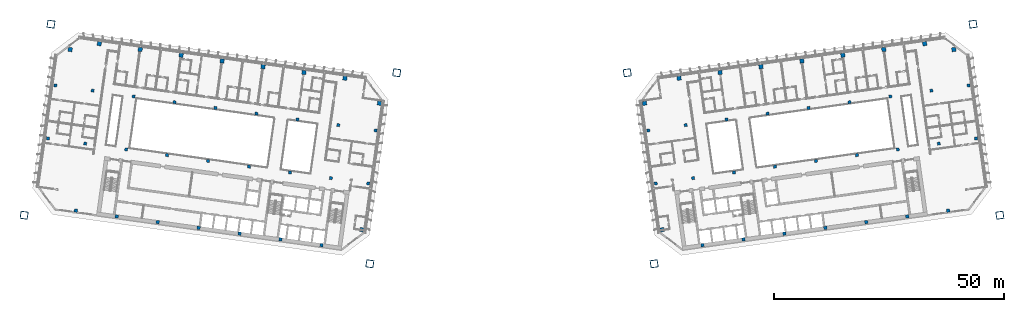
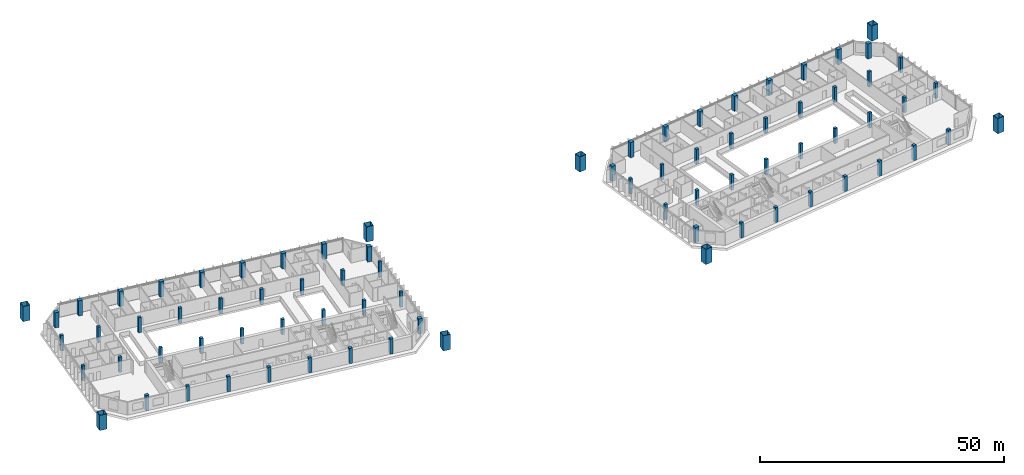
# One storey, part 1 of 24: 78 columns.
"""IFC4 building model written with IfcOpenShell, lengths in metres."""

from ifc_helpers import new_model, si_unit, direction, frame, origin, origin_2d, place, context, subcontext, project, spatial, rectangle, hollow_rectangle, extrude, material, material_profile, profile_set, type_object, element, save


model = new_model("IFC4")

# Units and contexts
model_context = context("Model", 3, precision=1e-05, world=origin(), true_north=direction((0.0, 1.0)))
body_context = subcontext(model_context, "Body", "Model", "MODEL_VIEW")
ifc_project = project(units=[si_unit("LENGTHUNIT", "METRE"), si_unit("AREAUNIT", "SQUARE_METRE"), si_unit("VOLUMEUNIT", "CUBIC_METRE"), si_unit("PLANEANGLEUNIT", "RADIAN"), si_unit("MASSUNIT", "GRAM", prefix="KILO")], contexts=[model_context])

# Site, building, storey
site_placement = place(None, origin())
site = spatial("IfcSite", under=ifc_project, at=site_placement, CompositionType="ELEMENT")
building_placement = place(site_placement, origin())
building = spatial("IfcBuilding", under=site, at=building_placement, Name="Mirante Cascada Hotel Towers", CompositionType="ELEMENT")
storey_placement = place(building_placement, frame((0.0, 0.0, 110.1)))
storey = spatial("IfcBuildingStorey", under=building, at=storey_placement, Name="L24", CompositionType="ELEMENT", Elevation=110.1)

# Columns
ifc_material_1 = material(Name="Steel ASTM A572 Gr 50", Category="steel")
ifc_material_profile_1 = material_profile(ifc_material_1, hollow_rectangle(XDim=1.6, YDim=1.6, WallThickness=0.07, at=origin_2d()), Name="Box column 1600x1600x70 ASTM A572 Gr 50")
ifc_profile_set_1 = profile_set([ifc_material_profile_1], Name="Steel ASTM A572 Gr 50")
column_type_1 = type_object("IfcColumnType", Name="Box column 1600x1600x70 ASTM A572 Gr 50", PredefinedType="COLUMN", material=ifc_profile_set_1)
for number, where, z_axis, x_axis, name in (
    (1, (-25.0968, 18.5173, 0.0), (0.0, 0.0, 1.0), (-0.9902681, 0.1391731, 0.0), "Mega column MC1 T1 L24"),
    (2, (-30.9421, -23.074, 0.0), (0.0, 0.0, 1.0), (-0.9902681, 0.1391731, 0.0), "Mega column MC2 T1 L24"),
    (3, (-100.3572, 29.0944, 0.0), (0.0, 0.0, 1.0), (-0.9902681, 0.1391731, 0.0), "Mega column MC3 T1 L24"),
    (4, (-106.2025, -12.4968, 0.0), (0.0, 0.0, 1.0), (-0.9902681, 0.1391731, 0.0), "Mega column MC4 T1 L24"),
    (5, (25.0968, 18.5173, 0.0), (0.0, 0.0, 1.0), (0.9902681, 0.1391731, 0.0), "Mega column MC1 T2 L24"),
    (6, (30.9421, -23.074, 0.0), (0.0, 0.0, 1.0), (0.9902681, 0.1391731, 0.0), "Mega column MC2 T2 L24"),
    (7, (100.3572, 29.0944, 0.0), (0.0, 0.0, 1.0), (0.9902681, 0.1391731, 0.0), "Mega column MC3 T2 L24"),
    (8, (106.2025, -12.4968, 0.0), (0.0, 0.0, 1.0), (0.9902681, 0.1391731, 0.0), "Mega column MC4 T2 L24"),
):
    element("IfcColumn", number, at=place(storey_placement, frame(where, z_axis=z_axis, x_axis=x_axis)), inside=storey, type_object=column_type_1, Name=name, PredefinedType="COLUMN", context=body_context, shape_type="SweptSolid", body=[
        extrude(hollow_rectangle(XDim=1.6, YDim=1.6, WallThickness=0.07, at=origin_2d()), origin(), (0.0, 0.0, 1.0), 3.8),
    ])
ifc_material_2 = material(Name="Concrete C60/75", Category="concrete")
ifc_material_profile_2 = material_profile(ifc_material_2, rectangle(XDim=0.65, YDim=0.65, at=origin_2d()), Name="RC column 650x650 C60/75")
ifc_profile_set_2 = profile_set([ifc_material_profile_2], Name="Concrete C60/75")
column_type_2 = type_object("IfcColumnType", Name="RC column 650x650 C60/75", PredefinedType="COLUMN", material=ifc_profile_set_2)
for number, where, z_axis, x_axis, name in (
    (9, (-29.6893, 5.9592, 0.0), (0.0, 0.0, 1.0), (-0.9902681, 0.1391731, 0.0), "Column T1 L24 2"),
    (10, (-31.3106, -5.5774, 0.0), (0.0, 0.0, 1.0), (-0.9902681, 0.1391731, 0.0), "Column T1 L24 3"),
    (11, (-37.8095, 7.1004, 0.0), (0.0, 0.0, 1.0), (-0.9902681, 0.1391731, 0.0), "Column T1 L24 6"),
    (12, (-39.4308, -4.4362, 0.0), (0.0, 0.0, 1.0), (-0.9902681, 0.1391731, 0.0), "Column T1 L24 7"),
    (13, (-46.7219, 8.353, 0.0), (0.0, 0.0, 1.0), (-0.9902681, 0.1391731, 0.0), "Column T1 L24 10"),
    (14, (-48.3432, -3.1836, 0.0), (0.0, 0.0, 1.0), (-0.9902681, 0.1391731, 0.0), "Column T1 L24 11"),
    (15, (-55.6343, 9.6055, 0.0), (0.0, 0.0, 1.0), (-0.9902681, 0.1391731, 0.0), "Column T1 L24 14"),
    (16, (-57.2557, -1.9311, 0.0), (0.0, 0.0, 1.0), (-0.9902681, 0.1391731, 0.0), "Column T1 L24 15"),
    (17, (-64.5467, 10.8581, 0.0), (0.0, 0.0, 1.0), (-0.9902681, 0.1391731, 0.0), "Column T1 L24 18"),
    (18, (-66.1681, -0.6785, 0.0), (0.0, 0.0, 1.0), (-0.9902681, 0.1391731, 0.0), "Column T1 L24 19"),
    (19, (-73.4591, 12.1107, 0.0), (0.0, 0.0, 1.0), (-0.9902681, 0.1391731, 0.0), "Column T1 L24 22"),
    (20, (-75.0805, 0.574, 0.0), (0.0, 0.0, 1.0), (-0.9902681, 0.1391731, 0.0), "Column T1 L24 23"),
    (21, (-82.3715, 13.3632, 0.0), (0.0, 0.0, 1.0), (-0.9902681, 0.1391731, 0.0), "Column T1 L24 26"),
    (22, (-83.9929, 1.8266, 0.0), (0.0, 0.0, 1.0), (-0.9902681, 0.1391731, 0.0), "Column T1 L24 27"),
    (23, (-91.2839, 14.6158, 0.0), (0.0, 0.0, 1.0), (-0.9902681, 0.1391731, 0.0), "Column T1 L24 30"),
    (24, (-92.9053, 3.0792, 0.0), (0.0, 0.0, 1.0), (-0.9902681, 0.1391731, 0.0), "Column T1 L24 31"),
    (25, (-99.4041, 15.757, 0.0), (0.0, 0.0, 1.0), (-0.9902681, 0.1391731, 0.0), "Column T1 L24 34"),
    (26, (-101.0255, 4.2204, 0.0), (0.0, 0.0, 1.0), (-0.9902681, 0.1391731, 0.0), "Column T1 L24 35"),
    (27, (29.6893, 5.9592, 0.0), (0.0, 0.0, 1.0), (0.9902681, 0.1391731, 0.0), "Column T2 L24 2"),
    (28, (31.3106, -5.5774, 0.0), (0.0, 0.0, 1.0), (0.9902681, 0.1391731, 0.0), "Column T2 L24 3"),
    (29, (37.8095, 7.1004, 0.0), (0.0, 0.0, 1.0), (0.9902681, 0.1391731, 0.0), "Column T2 L24 6"),
    (30, (39.4308, -4.4362, 0.0), (0.0, 0.0, 1.0), (0.9902681, 0.1391731, 0.0), "Column T2 L24 7"),
    (31, (46.7219, 8.353, 0.0), (0.0, 0.0, 1.0), (0.9902681, 0.1391731, 0.0), "Column T2 L24 10"),
    (32, (48.3432, -3.1836, 0.0), (0.0, 0.0, 1.0), (0.9902681, 0.1391731, 0.0), "Column T2 L24 11"),
    (33, (55.6343, 9.6055, 0.0), (0.0, 0.0, 1.0), (0.9902681, 0.1391731, 0.0), "Column T2 L24 14"),
    (34, (57.2557, -1.9311, 0.0), (0.0, 0.0, 1.0), (0.9902681, 0.1391731, 0.0), "Column T2 L24 15"),
    (35, (64.5467, 10.8581, 0.0), (0.0, 0.0, 1.0), (0.9902681, 0.1391731, 0.0), "Column T2 L24 18"),
    (36, (66.1681, -0.6785, 0.0), (0.0, 0.0, 1.0), (0.9902681, 0.1391731, 0.0), "Column T2 L24 19"),
    (37, (73.4591, 12.1107, 0.0), (0.0, 0.0, 1.0), (0.9902681, 0.1391731, 0.0), "Column T2 L24 22"),
    (38, (75.0805, 0.574, 0.0), (0.0, 0.0, 1.0), (0.9902681, 0.1391731, 0.0), "Column T2 L24 23"),
    (39, (82.3715, 13.3632, 0.0), (0.0, 0.0, 1.0), (0.9902681, 0.1391731, 0.0), "Column T2 L24 26"),
    (40, (83.9929, 1.8266, 0.0), (0.0, 0.0, 1.0), (0.9902681, 0.1391731, 0.0), "Column T2 L24 27"),
    (41, (91.2839, 14.6158, 0.0), (0.0, 0.0, 1.0), (0.9902681, 0.1391731, 0.0), "Column T2 L24 30"),
    (42, (92.9053, 3.0792, 0.0), (0.0, 0.0, 1.0), (0.9902681, 0.1391731, 0.0), "Column T2 L24 31"),
    (43, (99.4041, 15.757, 0.0), (0.0, 0.0, 1.0), (0.9902681, 0.1391731, 0.0), "Column T2 L24 34"),
    (44, (101.0255, 4.2204, 0.0), (0.0, 0.0, 1.0), (0.9902681, 0.1391731, 0.0), "Column T2 L24 35"),
):
    element("IfcColumn", number, at=place(storey_placement, frame(where, z_axis=z_axis, x_axis=x_axis)), inside=storey, type_object=column_type_2, Name=name, PredefinedType="COLUMN", context=body_context, shape_type="SweptSolid", body=[
        extrude(rectangle(XDim=0.65, YDim=0.65, at=origin_2d()), origin(), (0.0, 0.0, 1.0), 3.8),
    ])
ifc_material_3 = material(Name="Concrete C60/75", Category="concrete")
ifc_material_profile_3 = material_profile(ifc_material_3, rectangle(XDim=0.7, YDim=0.7, at=origin_2d()), Name="RC column 700x700 C60/75")
ifc_profile_set_3 = profile_set([ifc_material_profile_3], Name="Concrete C60/75")
column_type_3 = type_object("IfcColumnType", Name="RC column 700x700 C60/75", PredefinedType="COLUMN", material=ifc_profile_set_3)
for number, where, z_axis, x_axis, name in (
    (45, (-41.4802, -19.0179, 0.0), (0.0, 0.0, 1.0), (-0.9902681, 0.1391731, 0.0), "Column T1 L24 8"),
    (46, (-50.3926, -17.7653, 0.0), (0.0, 0.0, 1.0), (-0.9902681, 0.1391731, 0.0), "Column T1 L24 12"),
    (47, (-59.305, -16.5128, 0.0), (0.0, 0.0, 1.0), (-0.9902681, 0.1391731, 0.0), "Column T1 L24 16"),
    (48, (-68.2174, -15.2602, 0.0), (0.0, 0.0, 1.0), (-0.9902681, 0.1391731, 0.0), "Column T1 L24 20"),
    (49, (-77.1298, -14.0077, 0.0), (0.0, 0.0, 1.0), (-0.9902681, 0.1391731, 0.0), "Column T1 L24 24"),
    (50, (-86.0422, -12.7551, 0.0), (0.0, 0.0, 1.0), (-0.9902681, 0.1391731, 0.0), "Column T1 L24 28"),
    (51, (-94.9546, -11.5025, 0.0), (0.0, 0.0, 1.0), (-0.9902681, 0.1391731, 0.0), "Column T1 L24 32"),
    (52, (41.4802, -19.0179, 0.0), (0.0, 0.0, 1.0), (0.9902681, 0.1391731, 0.0), "Column T2 L24 8"),
    (53, (50.3926, -17.7653, 0.0), (0.0, 0.0, 1.0), (0.9902681, 0.1391731, 0.0), "Column T2 L24 12"),
    (54, (59.305, -16.5128, 0.0), (0.0, 0.0, 1.0), (0.9902681, 0.1391731, 0.0), "Column T2 L24 16"),
    (55, (68.2174, -15.2602, 0.0), (0.0, 0.0, 1.0), (0.9902681, 0.1391731, 0.0), "Column T2 L24 20"),
    (56, (77.1298, -14.0077, 0.0), (0.0, 0.0, 1.0), (0.9902681, 0.1391731, 0.0), "Column T2 L24 24"),
    (57, (86.0422, -12.7551, 0.0), (0.0, 0.0, 1.0), (0.9902681, 0.1391731, 0.0), "Column T2 L24 28"),
    (58, (94.9546, -11.5025, 0.0), (0.0, 0.0, 1.0), (0.9902681, 0.1391731, 0.0), "Column T2 L24 32"),
):
    element("IfcColumn", number, at=place(storey_placement, frame(where, z_axis=z_axis, x_axis=x_axis)), inside=storey, type_object=column_type_3, Name=name, PredefinedType="COLUMN", context=body_context, shape_type="SweptSolid", body=[
        extrude(rectangle(XDim=0.7, YDim=0.7, at=origin_2d()), origin(), (0.0, 0.0, 1.0), 3.8),
    ])
ifc_material_4 = material(Name="Concrete C60/75", Category="concrete")
ifc_material_profile_4 = material_profile(ifc_material_4, rectangle(XDim=0.9, YDim=0.9, at=origin_2d()), Name="RC column 900x900 C60/75")
ifc_profile_set_4 = profile_set([ifc_material_profile_4], Name="Concrete C60/75")
column_type_4 = type_object("IfcColumnType", Name="RC column 900x900 C60/75", PredefinedType="COLUMN", material=ifc_profile_set_4)
for number, where, z_axis, x_axis, name in (
    (59, (-28.8577, 11.8761, 0.0), (0.0, 0.0, 1.0), (-0.9902681, 0.1391731, 0.0), "Column T1 L24 1"),
    (60, (-32.7267, -15.6534, 0.0), (0.0, 0.0, 1.0), (-0.9902681, 0.1391731, 0.0), "Column T1 L24 4"),
    (61, (-36.3725, 17.325, 0.0), (0.0, 0.0, 1.0), (-0.9902681, 0.1391731, 0.0), "Column T1 L24 5"),
    (62, (-45.2849, 18.5775, 0.0), (0.0, 0.0, 1.0), (-0.9902681, 0.1391731, 0.0), "Column T1 L24 9"),
    (63, (-54.1973, 19.8301, 0.0), (0.0, 0.0, 1.0), (-0.9902681, 0.1391731, 0.0), "Column T1 L24 13"),
    (64, (-63.1097, 21.0826, 0.0), (0.0, 0.0, 1.0), (-0.9902681, 0.1391731, 0.0), "Column T1 L24 17"),
    (65, (-72.0222, 22.3352, 0.0), (0.0, 0.0, 1.0), (-0.9902681, 0.1391731, 0.0), "Column T1 L24 21"),
    (66, (-80.9346, 23.5877, 0.0), (0.0, 0.0, 1.0), (-0.9902681, 0.1391731, 0.0), "Column T1 L24 25"),
    (67, (-89.847, 24.8403, 0.0), (0.0, 0.0, 1.0), (-0.9902681, 0.1391731, 0.0), "Column T1 L24 29"),
    (68, (-96.1868, 23.5602, 0.0), (0.0, 0.0, 1.0), (-0.9902681, 0.1391731, 0.0), "Column T1 L24 33"),
    (69, (28.8577, 11.8761, 0.0), (0.0, 0.0, 1.0), (0.9902681, 0.1391731, 0.0), "Column T2 L24 1"),
    (70, (32.7267, -15.6534, 0.0), (0.0, 0.0, 1.0), (0.9902681, 0.1391731, 0.0), "Column T2 L24 4"),
    (71, (36.3725, 17.325, 0.0), (0.0, 0.0, 1.0), (0.9902681, 0.1391731, 0.0), "Column T2 L24 5"),
    (72, (45.2849, 18.5775, 0.0), (0.0, 0.0, 1.0), (0.9902681, 0.1391731, 0.0), "Column T2 L24 9"),
    (73, (54.1973, 19.8301, 0.0), (0.0, 0.0, 1.0), (0.9902681, 0.1391731, 0.0), "Column T2 L24 13"),
    (74, (63.1097, 21.0826, 0.0), (0.0, 0.0, 1.0), (0.9902681, 0.1391731, 0.0), "Column T2 L24 17"),
    (75, (72.0222, 22.3352, 0.0), (0.0, 0.0, 1.0), (0.9902681, 0.1391731, 0.0), "Column T2 L24 21"),
    (76, (80.9346, 23.5877, 0.0), (0.0, 0.0, 1.0), (0.9902681, 0.1391731, 0.0), "Column T2 L24 25"),
    (77, (89.847, 24.8403, 0.0), (0.0, 0.0, 1.0), (0.9902681, 0.1391731, 0.0), "Column T2 L24 29"),
    (78, (96.1868, 23.5602, 0.0), (0.0, 0.0, 1.0), (0.9902681, 0.1391731, 0.0), "Column T2 L24 33"),
):
    element("IfcColumn", number, at=place(storey_placement, frame(where, z_axis=z_axis, x_axis=x_axis)), inside=storey, type_object=column_type_4, Name=name, PredefinedType="COLUMN", context=body_context, shape_type="SweptSolid", body=[
        extrude(rectangle(XDim=0.9, YDim=0.9, at=origin_2d()), origin(), (0.0, 0.0, 1.0), 3.8),
    ])

save(model, "model.ifc")
